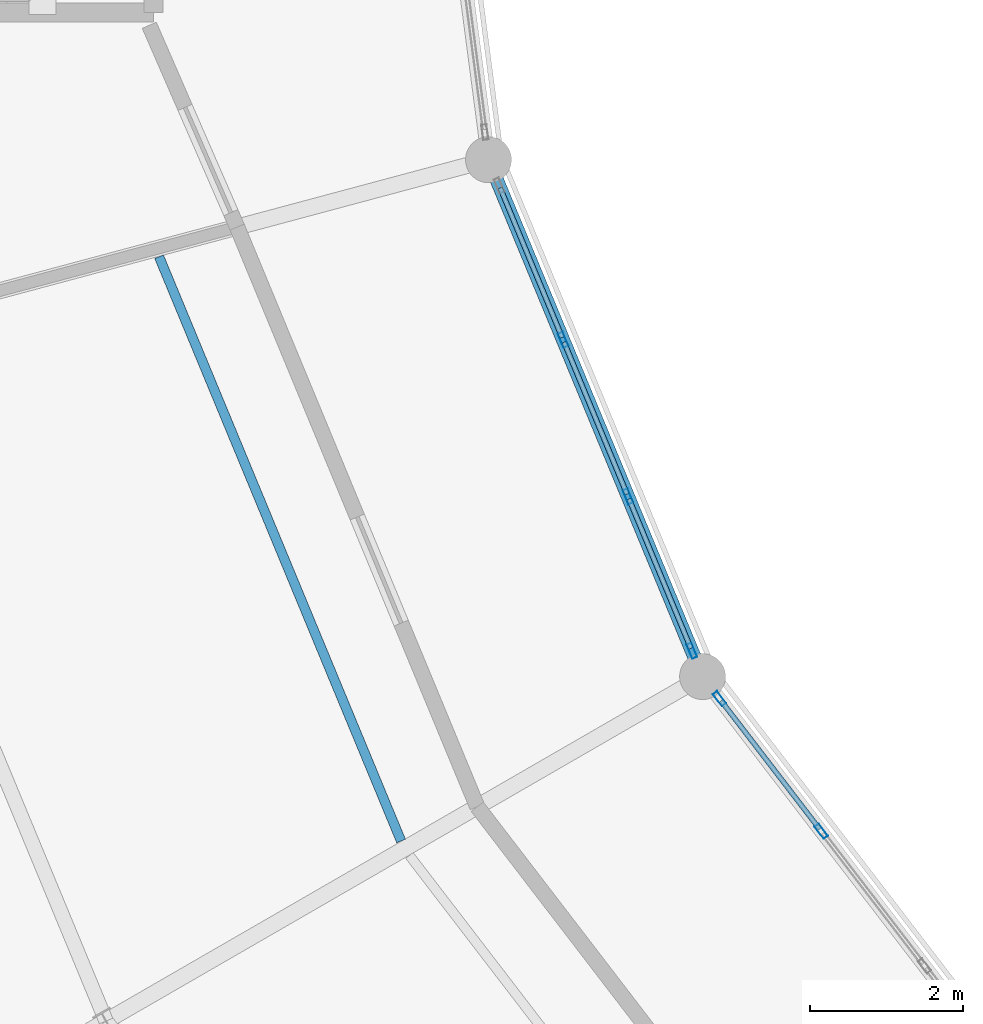
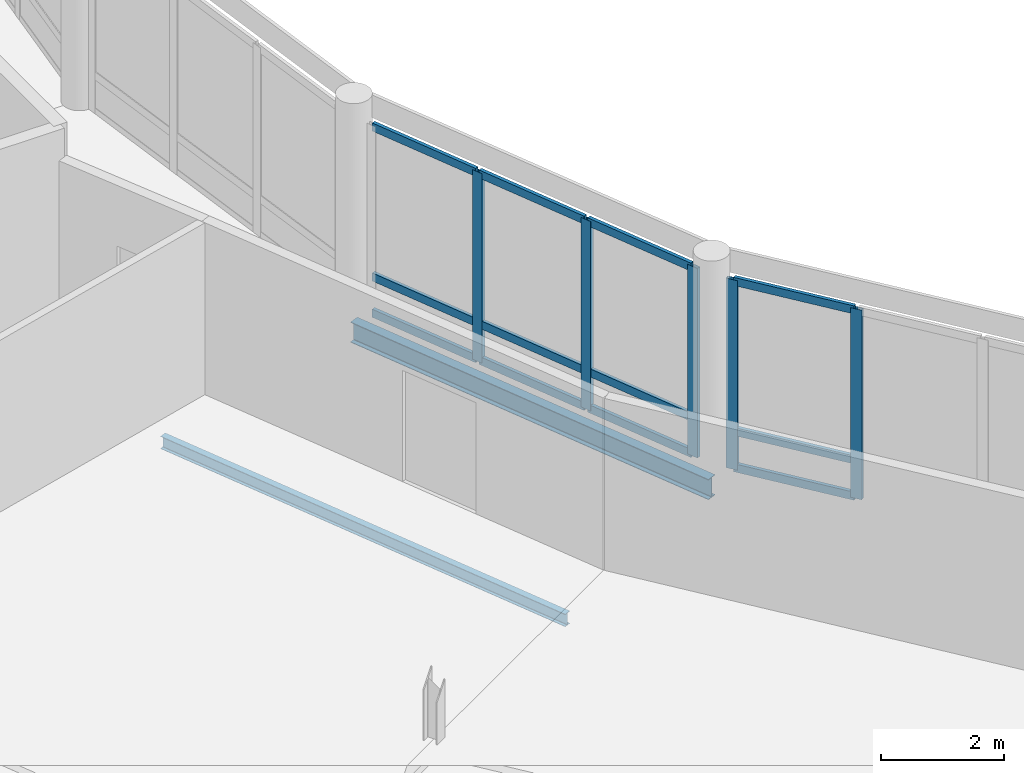
# One storey, part 50 of 185: 17 members, 2 beams, 2 elements without a shape of their own.
"""IFC4 building model written with IfcOpenShell, lengths in metres."""

from ifc_helpers import new_model, si_unit, direction, frame, origin, origin_2d, place, context, subcontext, project, spatial, hollow_rectangle, i_section, extrude, material, material_profile, profile_set, type_object, element, aggregate, save


model = new_model("IFC4")

# Units and contexts
model_context = context("Model", 3, precision=1e-05, world=origin(), true_north=direction((0.0, 1.0)))
body_context = subcontext(model_context, "Body", "Model", "MODEL_VIEW")
ifc_project = project(units=[si_unit("LENGTHUNIT", "METRE"), si_unit("AREAUNIT", "SQUARE_METRE"), si_unit("VOLUMEUNIT", "CUBIC_METRE"), si_unit("PLANEANGLEUNIT", "RADIAN"), si_unit("MASSUNIT", "GRAM", prefix="KILO")], contexts=[model_context])

# Site, building, storey
site_placement = place(None, origin())
site = spatial("IfcSite", under=ifc_project, at=site_placement, CompositionType="ELEMENT")
building_placement = place(site_placement, origin())
building = spatial("IfcBuilding", under=site, at=building_placement, Name="Vondelvale Polytechnic", CompositionType="ELEMENT")
storey_placement = place(building_placement, frame((0.0, 0.0, 9.60009765625)))
storey = spatial("IfcBuildingStorey", under=building, at=storey_placement, Name="L02", CompositionType="ELEMENT", Elevation=9.60009765625)

# Beam
ifc_material_1 = material(Name="Steel 300PLUS (fy = 300 MPa)", Category="steel")
ifc_material_profile_1 = material_profile(ifc_material_1, i_section(OverallWidth=0.177978515625, OverallDepth=0.403076171875, WebThickness=0.007568359375, FlangeThickness=0.010986328125, FilletRadius=0.011474609375, at=origin_2d()), Name="410UB53.7")
ifc_profile_set_1 = profile_set([ifc_material_profile_1], Name="Steel 300PLUS (fy = 300 MPa)")
beam_type_1 = type_object("IfcBeamType", Name="BM-UB410L", PredefinedType="BEAM", material=ifc_profile_set_1)
beam_1_placement = place(storey_placement, frame((74.9541015625, 64.753173828125, -0.481689453125), z_axis=(0.382667428841, -0.923886161226, 0.0), x_axis=(0.923886161226, 0.382667428841, 0.0)))
element("IfcBeam", 1, at=beam_1_placement, inside=storey, type_object=beam_type_1, Name="L02 RB B-23", PredefinedType="BEAM", context=body_context, shape_type="SweptSolid", body=[
    extrude(i_section(OverallWidth=0.177978515625, OverallDepth=0.403076171875, WebThickness=0.007568359375, FlangeThickness=0.010986328125, FilletRadius=0.011474609375, at=origin_2d()), origin(), (0.0, 0.0, 1.0), 7.3095703125),
])

# Curtain wall, members
ifc_material_2 = material(Name="Anodised extruded aluminium 6063-T6", Category="aluminium")
curtain_wall_type = type_object("IfcCurtainWallType", Name="CW-RING-CLOISTER", PredefinedType="NOTDEFINED", material=ifc_material_2)
curtain_wall_1_placement = place(storey_placement, origin())
curtain_wall_1 = element("IfcCurtainWall", 2, at=curtain_wall_1_placement, inside=storey, type_object=curtain_wall_type, Name="L02 architectural curtain wall CW-03-283", PredefinedType="NOTDEFINED")
ifc_material_profile_2 = material_profile(ifc_material_2, hollow_rectangle(XDim=0.070068359375, YDim=0.199951171875, WallThickness=0.00390625, at=origin_2d()), Name="CW-MUL-200x70")
ifc_profile_set_2 = profile_set([ifc_material_profile_2], Name="Anodised extruded aluminium 6063-T6")
member_type_1 = type_object("IfcMemberType", Name="CW-MUL-70x200", PredefinedType="MULLION", material=ifc_profile_set_2)
member_1_placement = place(storey_placement, frame((75.9287109375, 62.400390625, 0.0), z_axis=(0.0, 0.0, 1.0), x_axis=(0.923881562419, 0.382678531697, 0.0)))
member_1 = element("IfcMember", 3, at=member_1_placement, type_object=member_type_1, Name="CW-03-283 mullion 2", PredefinedType="MULLION", context=body_context, shape_type="SweptSolid", body=[
    extrude(hollow_rectangle(XDim=0.070068359375, YDim=0.199951171875, WallThickness=0.00390625, at=origin_2d()), origin(), (0.0, 0.0, 1.0), 3.75),
])
member_2_placement = place(storey_placement, frame((76.77685546875, 60.352783203125, 0.0), z_axis=(0.0, 0.0, 1.0), x_axis=(0.923881562419, 0.382678531697, 0.0)))
member_2 = element("IfcMember", 4, at=member_2_placement, type_object=member_type_1, Name="CW-03-283 mullion 3", PredefinedType="MULLION", context=body_context, shape_type="SweptSolid", body=[
    extrude(hollow_rectangle(XDim=0.070068359375, YDim=0.199951171875, WallThickness=0.00390625, at=origin_2d()), origin(), (0.0, 0.0, 1.0), 3.75),
])
member_3_placement = place(storey_placement, frame((77.611572265625, 58.337158203125, 0.0), z_axis=(0.0, 0.0, 1.0), x_axis=(0.923881562419, 0.382678531697, 0.0)))
member_3 = element("IfcMember", 5, at=member_3_placement, type_object=member_type_1, Name="CW-03-283 mullion 4", PredefinedType="MULLION", context=body_context, shape_type="SweptSolid", body=[
    extrude(hollow_rectangle(XDim=0.070068359375, YDim=0.199951171875, WallThickness=0.00390625, at=origin_2d()), origin(), (0.0, 0.0, 1.0), 3.75),
])

curtain_wall_2_placement = place(storey_placement, origin())
curtain_wall_2 = element("IfcCurtainWall", 6, at=curtain_wall_2_placement, inside=storey, type_object=curtain_wall_type, Name="L02 architectural curtain wall CW-03-302", PredefinedType="NOTDEFINED")
member_4_placement = place(storey_placement, frame((77.97265625, 57.71142578125, 0.0), z_axis=(0.0, 0.0, 1.0), x_axis=(0.793363861089, 0.608747717793, 0.0)))
member_4 = element("IfcMember", 7, at=member_4_placement, type_object=member_type_1, Name="CW-03-302 mullion 1", PredefinedType="MULLION", context=body_context, shape_type="SweptSolid", body=[
    extrude(hollow_rectangle(XDim=0.070068359375, YDim=0.199951171875, WallThickness=0.00390625, at=origin_2d()), origin(), (0.0, 0.0, 1.0), 3.75),
])
member_5_placement = place(storey_placement, frame((79.30126953125, 55.97998046875, 0.0), z_axis=(0.0, 0.0, 1.0), x_axis=(0.793363861089, 0.608747717793, 0.0)))
member_5 = element("IfcMember", 8, at=member_5_placement, type_object=member_type_1, Name="CW-03-302 mullion 2", PredefinedType="MULLION", context=body_context, shape_type="SweptSolid", body=[
    extrude(hollow_rectangle(XDim=0.070068359375, YDim=0.199951171875, WallThickness=0.00390625, at=origin_2d()), origin(), (0.0, 0.0, 1.0), 3.75),
])

# Member
ifc_material_profile_3 = material_profile(ifc_material_2, hollow_rectangle(XDim=0.06494140625, YDim=0.159912109375, WallThickness=0.00341796875, at=origin_2d()), Name="CW-TRN-160x65")
ifc_profile_set_3 = profile_set([ifc_material_profile_3], Name="Anodised extruded aluminium 6063-T6")
member_type_2 = type_object("IfcMemberType", Name="CW-TRN-70x160", PredefinedType="USERDEFINED", material=ifc_profile_set_3)
member_6_placement = place(storey_placement, frame((75.107177734375, 64.383544921875, 0.032470703125), z_axis=(0.382726229306, -0.923861804277, 0.0), x_axis=(0.923861804277, 0.382726229306, 0.0)))
member_6 = element("IfcMember", 9, at=member_6_placement, type_object=member_type_2, Name="CW-03-283 transom 1.1", ObjectType="TRANSOM", PredefinedType="USERDEFINED", context=body_context, shape_type="SweptSolid", body=[
    extrude(hollow_rectangle(XDim=0.06494140625, YDim=0.159912109375, WallThickness=0.00341796875, at=origin_2d()), origin(), (0.0, 0.0, 1.0), 2.111328125),
])

member_7_placement = place(storey_placement, frame((75.107177734375, 64.383544921875, 0.75), z_axis=(0.382726229306, -0.923861804277, 0.0), x_axis=(0.923861804277, 0.382726229306, 0.0)))
member_7 = element("IfcMember", 10, at=member_7_placement, type_object=member_type_2, Name="CW-03-283 transom 1.2", ObjectType="TRANSOM", PredefinedType="USERDEFINED", context=body_context, shape_type="SweptSolid", body=[
    extrude(hollow_rectangle(XDim=0.06494140625, YDim=0.159912109375, WallThickness=0.00341796875, at=origin_2d()), origin(), (0.0, 0.0, 1.0), 2.111328125),
])

member_8_placement = place(storey_placement, frame((75.107177734375, 64.383544921875, 3.71728515625), z_axis=(0.382726229306, -0.923861804277, 0.0), x_axis=(0.923861804277, 0.382726229306, 0.0)))
member_8 = element("IfcMember", 11, at=member_8_placement, type_object=member_type_2, Name="CW-03-283 transom 1.3", ObjectType="TRANSOM", PredefinedType="USERDEFINED", context=body_context, shape_type="SweptSolid", body=[
    extrude(hollow_rectangle(XDim=0.06494140625, YDim=0.159912109375, WallThickness=0.00341796875, at=origin_2d()), origin(), (0.0, 0.0, 1.0), 2.111328125),
])

member_9_placement = place(storey_placement, frame((75.94189453125, 62.3681640625, 0.032470703125), z_axis=(0.382716752649, -0.923865730094, 0.0), x_axis=(0.923865730094, 0.382716752649, 0.0)))
member_9 = element("IfcMember", 12, at=member_9_placement, type_object=member_type_2, Name="CW-03-283 transom 2.1", ObjectType="TRANSOM", PredefinedType="USERDEFINED", context=body_context, shape_type="SweptSolid", body=[
    extrude(hollow_rectangle(XDim=0.06494140625, YDim=0.159912109375, WallThickness=0.00341796875, at=origin_2d()), origin(), (0.0, 0.0, 1.0), 2.146484375),
])

member_10_placement = place(storey_placement, frame((75.94189453125, 62.3681640625, 0.75), z_axis=(0.382716752649, -0.923865730094, 0.0), x_axis=(0.923865730094, 0.382716752649, 0.0)))
member_10 = element("IfcMember", 13, at=member_10_placement, type_object=member_type_2, Name="CW-03-283 transom 2.2", ObjectType="TRANSOM", PredefinedType="USERDEFINED", context=body_context, shape_type="SweptSolid", body=[
    extrude(hollow_rectangle(XDim=0.06494140625, YDim=0.159912109375, WallThickness=0.00341796875, at=origin_2d()), origin(), (0.0, 0.0, 1.0), 2.146484375),
])

member_11_placement = place(storey_placement, frame((75.94189453125, 62.3681640625, 3.71728515625), z_axis=(0.382716752649, -0.923865730094, 0.0), x_axis=(0.923865730094, 0.382716752649, 0.0)))
member_11 = element("IfcMember", 14, at=member_11_placement, type_object=member_type_2, Name="CW-03-283 transom 2.3", ObjectType="TRANSOM", PredefinedType="USERDEFINED", context=body_context, shape_type="SweptSolid", body=[
    extrude(hollow_rectangle(XDim=0.06494140625, YDim=0.159912109375, WallThickness=0.00341796875, at=origin_2d()), origin(), (0.0, 0.0, 1.0), 2.146484375),
])

member_12_placement = place(storey_placement, frame((76.790283203125, 60.3203125, 0.032470703125), z_axis=(0.382627532503, -0.923902685011, 0.0), x_axis=(0.923902685011, 0.382627532503, 0.0)))
member_12 = element("IfcMember", 15, at=member_12_placement, type_object=member_type_2, Name="CW-03-283 transom 3.1", ObjectType="TRANSOM", PredefinedType="USERDEFINED", context=body_context, shape_type="SweptSolid", body=[
    extrude(hollow_rectangle(XDim=0.06494140625, YDim=0.159912109375, WallThickness=0.00341796875, at=origin_2d()), origin(), (0.0, 0.0, 1.0), 2.111328125),
])

member_13_placement = place(storey_placement, frame((76.790283203125, 60.3203125, 0.75), z_axis=(0.382627532503, -0.923902685011, 0.0), x_axis=(0.923902685011, 0.382627532503, 0.0)))
member_13 = element("IfcMember", 16, at=member_13_placement, type_object=member_type_2, Name="CW-03-283 transom 3.2", ObjectType="TRANSOM", PredefinedType="USERDEFINED", context=body_context, shape_type="SweptSolid", body=[
    extrude(hollow_rectangle(XDim=0.06494140625, YDim=0.159912109375, WallThickness=0.00341796875, at=origin_2d()), origin(), (0.0, 0.0, 1.0), 2.111328125),
])

member_14_placement = place(storey_placement, frame((76.790283203125, 60.3203125, 3.71728515625), z_axis=(0.382627532503, -0.923902685011, 0.0), x_axis=(0.923902685011, 0.382627532503, 0.0)))
member_14 = element("IfcMember", 17, at=member_14_placement, type_object=member_type_2, Name="CW-03-283 transom 3.3", ObjectType="TRANSOM", PredefinedType="USERDEFINED", context=body_context, shape_type="SweptSolid", body=[
    extrude(hollow_rectangle(XDim=0.06494140625, YDim=0.159912109375, WallThickness=0.00341796875, at=origin_2d()), origin(), (0.0, 0.0, 1.0), 2.111328125),
])

aggregate(curtain_wall_1, [member_1, member_2, member_3, member_6, member_7, member_8, member_9, member_10, member_11, member_12, member_13, member_14])

member_15_placement = place(storey_placement, frame((77.993896484375, 57.683837890625, 0.032470703125), z_axis=(0.608783266169, -0.793336583571, 0.0), x_axis=(0.793336583571, 0.608783266169, 0.0)))
member_15 = element("IfcMember", 18, at=member_15_placement, type_object=member_type_2, Name="CW-03-302 transom 1.1", ObjectType="TRANSOM", PredefinedType="USERDEFINED", context=body_context, shape_type="SweptSolid", body=[
    extrude(hollow_rectangle(XDim=0.06494140625, YDim=0.159912109375, WallThickness=0.00341796875, at=origin_2d()), origin(), (0.0, 0.0, 1.0), 2.112548828125),
])

member_16_placement = place(storey_placement, frame((77.993896484375, 57.683837890625, 0.75), z_axis=(0.608783266169, -0.793336583571, 0.0), x_axis=(0.793336583571, 0.608783266169, 0.0)))
member_16 = element("IfcMember", 19, at=member_16_placement, type_object=member_type_2, Name="CW-03-302 transom 1.2", ObjectType="TRANSOM", PredefinedType="USERDEFINED", context=body_context, shape_type="SweptSolid", body=[
    extrude(hollow_rectangle(XDim=0.06494140625, YDim=0.159912109375, WallThickness=0.00341796875, at=origin_2d()), origin(), (0.0, 0.0, 1.0), 2.112548828125),
])

member_17_placement = place(storey_placement, frame((77.993896484375, 57.683837890625, 3.71728515625), z_axis=(0.608783266169, -0.793336583571, 0.0), x_axis=(0.793336583571, 0.608783266169, 0.0)))
member_17 = element("IfcMember", 20, at=member_17_placement, type_object=member_type_2, Name="CW-03-302 transom 1.3", ObjectType="TRANSOM", PredefinedType="USERDEFINED", context=body_context, shape_type="SweptSolid", body=[
    extrude(hollow_rectangle(XDim=0.06494140625, YDim=0.159912109375, WallThickness=0.00341796875, at=origin_2d()), origin(), (0.0, 0.0, 1.0), 2.112548828125),
])

aggregate(curtain_wall_2, [member_4, member_5, member_15, member_16, member_17])

# Beam
ifc_material_profile_4 = material_profile(ifc_material_1, i_section(OverallWidth=0.1240234375, OverallDepth=0.248046875, WebThickness=0.0048828125, FlangeThickness=0.008056640625, FilletRadius=0.0087890625, at=origin_2d()), Name="250UB25.7")
ifc_profile_set_4 = profile_set([ifc_material_profile_4], Name="Steel 300PLUS (fy = 300 MPa)")
beam_type_2 = type_object("IfcBeamType", Name="JST-UB250L", PredefinedType="JOIST", material=ifc_profile_set_4)
beam_2_placement = place(storey_placement, frame((70.6494140625, 63.48681640625, -0.404052734375), z_axis=(0.38268053388, -0.923880733098, 0.0), x_axis=(0.923880733098, 0.38268053388, 0.0)))
element("IfcBeam", 21, at=beam_2_placement, inside=storey, type_object=beam_type_2, Name="L02 RJ J-08", PredefinedType="JOIST", context=body_context, shape_type="SweptSolid", body=[
    extrude(i_section(OverallWidth=0.1240234375, OverallDepth=0.248046875, WebThickness=0.0048828125, FlangeThickness=0.008056640625, FilletRadius=0.0087890625, at=origin_2d()), origin(), (0.0, 0.0, 1.0), 8.264404296875),
])

save(model, "model.ifc")
